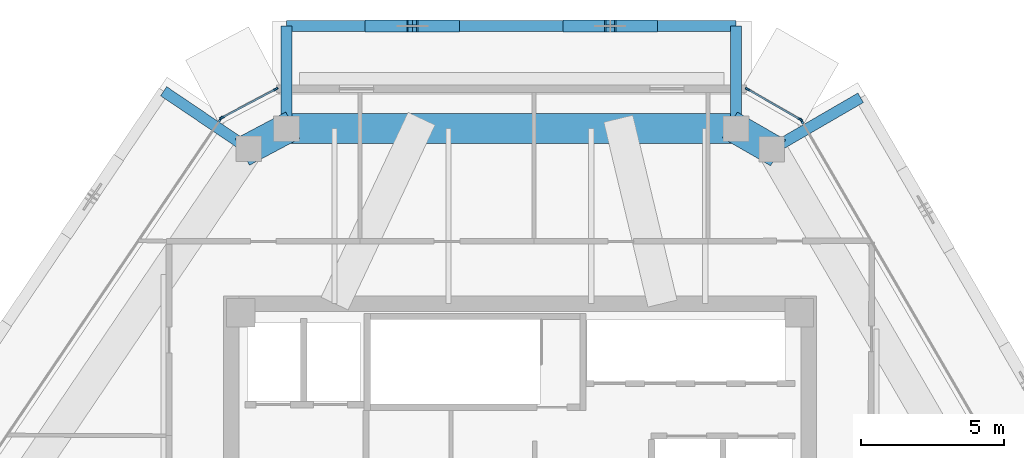
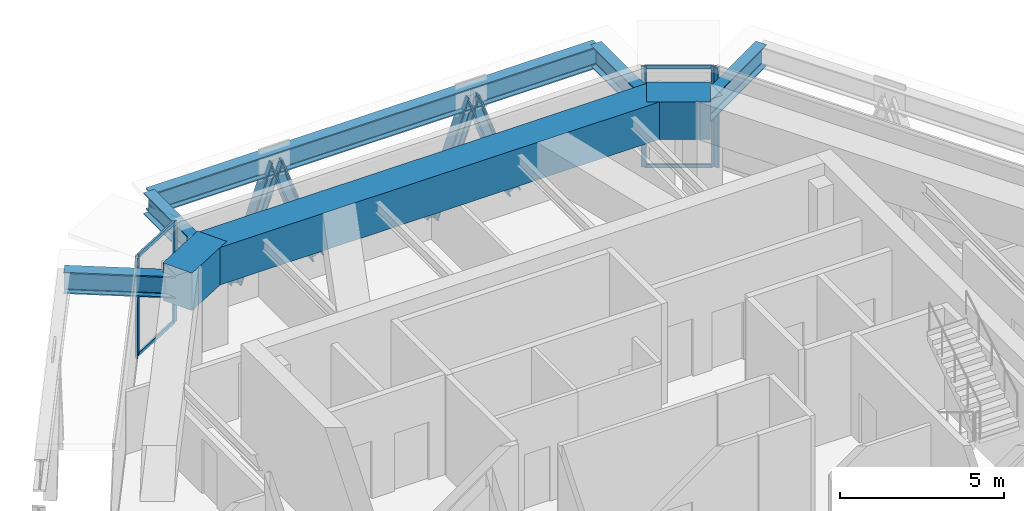
# One storey, part 6 of 13: 14 members, 8 beams, 4 elements without a shape of their own.
"""IFC4 building model written with IfcOpenShell, lengths in metres."""

from ifc_helpers import new_model, si_unit, direction, frame, origin, origin_2d, place, context, subcontext, project, spatial, rectangle, i_section, extrude, source, transform, mapped, material, layer, layer_set, material_profile, profile_set, type_object, type_shapes, element, aggregate, save


model = new_model("IFC4")

# Units and contexts
model_context = context("Model", 3, precision=1e-05, world=origin(), true_north=direction((0.0, 1.0)))
body_context = subcontext(model_context, "Body", "Model", "MODEL_VIEW")
ifc_project = project(units=[si_unit("LENGTHUNIT", "METRE"), si_unit("AREAUNIT", "SQUARE_METRE"), si_unit("VOLUMEUNIT", "CUBIC_METRE"), si_unit("PLANEANGLEUNIT", "RADIAN"), si_unit("MASSUNIT", "GRAM", prefix="KILO")], contexts=[model_context])

# Site, building, storey
site_placement = place(None, origin())
site = spatial("IfcSite", under=ifc_project, at=site_placement, CompositionType="ELEMENT")
building_placement = place(site_placement, origin())
building = spatial("IfcBuilding", under=site, at=building_placement, Name="Durnholm Broadcast Tower", CompositionType="ELEMENT")
storey_placement = place(building_placement, frame((0.0, 0.0, 268.300048828125)))
storey = spatial("IfcBuildingStorey", under=building, at=storey_placement, Name="L75", CompositionType="ELEMENT", Elevation=268.300048828125)

# Beams
ifc_material_1 = material(Name="Steel ASTM A992 Grade 50", Category="steel")
ifc_material_profile_1 = material_profile(ifc_material_1, i_section(OverallWidth=0.385009765625, OverallDepth=0.802978515625, WebThickness=0.023681640625, FlangeThickness=0.0419921875, FilletRadius=0.032958984375, at=origin_2d()), Name="W30X261")
ifc_profile_set_1 = profile_set([ifc_material_profile_1], Name="Steel ASTM A992 Grade 50")
beam_type_1 = type_object("IfcBeamType", Name="BM-EXO-TIE", PredefinedType="USERDEFINED", material=ifc_profile_set_1)
shared_shape_1 = source(origin(), body_context, "Body", "SweptSolid", [
    extrude(i_section(OverallWidth=0.385009765625, OverallDepth=0.802978515625, WebThickness=0.023681640625, FlangeThickness=0.0419921875, FilletRadius=0.032958984375, at=origin_2d()), origin(), (0.0, 0.0, 1.0), 3.4560546875),
])
for number, where, z_axis, x_axis, name in (
    (1, (7.57958984375, 14.406005859375, 2.99853515625), (0.0, 1.0, 0.0), (-1.0, 0.0, 0.0), "L75 exoskeleton stand-off tie bracket F4.1"),
    (2, (-8.187744140625, 14.406005859375, 2.99853515625), (0.0, 1.0, 0.0), (-1.0, 0.0, 0.0), "L75 exoskeleton stand-off tie bracket F4.2"),
):
    element("IfcBeam", number, at=place(storey_placement, frame(where, z_axis=z_axis, x_axis=x_axis)), inside=storey, type_object=beam_type_1, Name=name, ObjectType="GIRDER", PredefinedType="USERDEFINED", context=body_context, shape_type="MappedRepresentation", body=[
        mapped(shared_shape_1, transform((0.0, 0.0, 0.0), x_axis=(1.0, 0.0, 0.0), y_axis=(0.0, 1.0, 0.0), z_axis=(0.0, 0.0, 1.0), scale=1.0)),
    ])
shared_shape_2 = source(origin(), body_context, "Body", "SweptSolid", [
    extrude(i_section(OverallWidth=0.385009765625, OverallDepth=0.802978515625, WebThickness=0.023681640625, FlangeThickness=0.0419921875, FilletRadius=0.032958984375, at=origin_2d()), origin(), (0.0, 0.0, 1.0), 3.455810546875),
])
for number, where, z_axis, x_axis, name in (
    (3, (8.9619140625, 13.610107421875, 2.99853515625), (0.864906682814, 0.501932694715, 0.0), (-0.501932694715, 0.864906682814, 0.0), "L75 exoskeleton stand-off tie bracket F3.2"),
    (4, (-9.63427734375, 13.637939453125, 2.99853515625), (-0.828446342252, 0.560068440469, 0.0), (-0.560068440469, -0.828446342252, 0.0), "L75 exoskeleton stand-off tie bracket F5.1"),
):
    element("IfcBeam", number, at=place(storey_placement, frame(where, z_axis=z_axis, x_axis=x_axis)), inside=storey, type_object=beam_type_1, Name=name, ObjectType="GIRDER", PredefinedType="USERDEFINED", context=body_context, shape_type="MappedRepresentation", body=[
        mapped(shared_shape_2, transform((0.0, 0.0, 0.0), x_axis=(1.0, 0.0, 0.0), y_axis=(0.0, 1.0, 0.0), z_axis=(0.0, 0.0, 1.0), scale=1.0)),
    ])
shared_shape_3 = source(origin(), body_context, "Body", "SweptSolid", [
    extrude(i_section(OverallWidth=0.385009765625, OverallDepth=0.802978515625, WebThickness=0.023681640625, FlangeThickness=0.0419921875, FilletRadius=0.032958984375, at=origin_2d()), origin(), (0.0, 0.0, 1.0), 15.767333984375),
])
type_shapes(beam_type_1, [shared_shape_1, shared_shape_2, shared_shape_3])
beam_1_placement = place(storey_placement, frame((7.57958984375, 17.862060546875, 2.99853515625), z_axis=(-1.0, 0.0, 0.0), x_axis=(0.0, -1.0, 0.0)))
element("IfcBeam", 5, at=beam_1_placement, inside=storey, type_object=beam_type_1, Name="L75 exoskeleton collector spandrel F4", PredefinedType="SPANDREL", context=body_context, shape_type="MappedRepresentation", body=[
    mapped(shared_shape_3, transform((0.0, 0.0, 0.0), x_axis=(1.0, 0.0, 0.0), y_axis=(0.0, 1.0, 0.0), z_axis=(0.0, 0.0, 1.0), scale=1.0)),
])
ifc_material_2 = material(Name="Concrete C70/85", Category="concrete")
ifc_material_profile_2 = material_profile(ifc_material_2, rectangle(XDim=1.050048828125, YDim=1.39990234375, at=origin_2d()), Name="RC1050X1400")
ifc_profile_set_2 = profile_set([ifc_material_profile_2], Name="Concrete C70/85")
beam_type_2 = type_object("IfcBeamType", Name="BM-TG-RC1400", PredefinedType="USERDEFINED", material=ifc_profile_set_2)
shared_shape_4 = source(origin(), body_context, "Body", "SweptSolid", [
    extrude(rectangle(XDim=1.050048828125, YDim=1.39990234375, at=origin_2d()), origin(), (0.0, 0.0, 1.0), 2.002685546875),
])
beam_2_placement = place(storey_placement, frame((-9.735595703125, 13.440185546875, 3.050048828125), z_axis=(0.883262473684, 0.46887887837, 0.0), x_axis=(-0.46887887837, 0.883262473684, 0.0)))
element("IfcBeam", 6, at=beam_2_placement, inside=storey, type_object=beam_type_2, Name="L75 perimeter transfer spandrel girder 04", PredefinedType="SPANDREL", context=body_context, shape_type="MappedRepresentation", body=[
    mapped(shared_shape_4, transform((0.0, 0.0, 0.0), x_axis=(1.0, 0.0, 0.0), y_axis=(0.0, 1.0, 0.0), z_axis=(0.0, 0.0, 1.0), scale=1.0)),
])
shared_shape_5 = source(origin(), body_context, "Body", "SweptSolid", [
    extrude(rectangle(XDim=1.050048828125, YDim=1.39990234375, at=origin_2d()), origin(), (0.0, 0.0, 1.0), 15.767333984375),
])
beam_3_placement = place(storey_placement, frame((-8.187744140625, 14.261962890625, 3.050048828125), z_axis=(1.0, 0.0, 0.0), x_axis=(0.0, 1.0, 0.0)))
element("IfcBeam", 7, at=beam_3_placement, inside=storey, type_object=beam_type_2, Name="L75 perimeter transfer spandrel girder 05", PredefinedType="SPANDREL", context=body_context, shape_type="MappedRepresentation", body=[
    mapped(shared_shape_5, transform((0.0, 0.0, 0.0), x_axis=(1.0, 0.0, 0.0), y_axis=(0.0, 1.0, 0.0), z_axis=(0.0, 0.0, 1.0), scale=1.0)),
])
shared_shape_6 = source(origin(), body_context, "Body", "SweptSolid", [
    extrude(rectangle(XDim=1.050048828125, YDim=1.39990234375, at=origin_2d()), origin(), (0.0, 0.0, 1.0), 1.951416015625),
])
type_shapes(beam_type_2, [shared_shape_4, shared_shape_5, shared_shape_6])
beam_4_placement = place(storey_placement, frame((7.363037109375, 14.38671875, 3.050048828125), z_axis=(0.866551951949, -0.499086880786, 0.0), x_axis=(0.499086880786, 0.866551951949, 0.0)))
element("IfcBeam", 8, at=beam_4_placement, inside=storey, type_object=beam_type_2, Name="L75 perimeter transfer spandrel girder 06", PredefinedType="SPANDREL", context=body_context, shape_type="MappedRepresentation", body=[
    mapped(shared_shape_6, transform((0.0, 0.0, 0.0), x_axis=(1.0, 0.0, 0.0), y_axis=(0.0, 1.0, 0.0), z_axis=(0.0, 0.0, 1.0), scale=1.0)),
])

# Members
ifc_material_3 = material(Name="Steel ASTM A913 Grade 65", Category="steel")
ifc_material_profile_3 = material_profile(ifc_material_3, i_section(OverallWidth=0.40625, OverallDepth=0.416015625, WebThickness=0.02978515625, FlangeThickness=0.048095703125, FilletRadius=0.030517578125, at=origin_2d()), Name="W14X257")
ifc_profile_set_3 = profile_set([ifc_material_profile_3], Name="Steel ASTM A913 Grade 65")
member_type_1 = type_object("IfcMemberType", Name="STL-DG-W14X257", PredefinedType="BRACE", material=ifc_profile_set_3)
shared_shape_7 = source(origin(), body_context, "Body", "SweptSolid", [
    extrude(i_section(OverallWidth=0.40625, OverallDepth=0.416015625, WebThickness=0.02978515625, FlangeThickness=0.048095703125, FilletRadius=0.030517578125, at=origin_2d()), origin(), (0.0, 0.0, 1.0), 4.3046875),
])
for number, where, z_axis, x_axis, name in (
    (9, (4.623046875, 17.862060546875, -1.051513671875), (-0.338767668822, 0.0, 0.940870058276), (0.0, -1.0, 0.0), "L75 stand-off diagrid brace F4.D1.1"),
    (10, (1.70654296875, 17.862060546875, -1.051513671875), (0.338767668822, 0.0, 0.940870058276), (0.0, 1.0, 0.0), "L75 stand-off diagrid brace F4.D1.2"),
    (11, (-5.23095703125, 17.862060546875, -1.051513671875), (0.338767668822, 0.0, 0.940870058276), (0.0, 1.0, 0.0), "L75 stand-off diagrid brace F4.D2.2"),
):
    element("IfcMember", number, at=place(storey_placement, frame(where, z_axis=z_axis, x_axis=x_axis)), inside=storey, type_object=member_type_1, Name=name, PredefinedType="BRACE", context=body_context, shape_type="MappedRepresentation", body=[
        mapped(shared_shape_7, transform((0.0, 0.0, 0.0), x_axis=(1.0, 0.0, 0.0), y_axis=(0.0, 1.0, 0.0), z_axis=(0.0, 0.0, 1.0), scale=1.0)),
    ])
shared_shape_8 = source(origin(), body_context, "Body", "SweptSolid", [
    extrude(i_section(OverallWidth=0.40625, OverallDepth=0.416015625, WebThickness=0.02978515625, FlangeThickness=0.048095703125, FilletRadius=0.030517578125, at=origin_2d()), origin(), (0.0, 0.0, 1.0), 4.304443359375),
])
type_shapes(member_type_1, [shared_shape_7, shared_shape_8])
member_1_placement = place(storey_placement, frame((-2.314697265625, 17.862060546875, -1.051513671875), z_axis=(-0.338717459859, 0.0, 0.940888134895), x_axis=(0.0, -1.0, 0.0)))
element("IfcMember", 12, at=member_1_placement, inside=storey, type_object=member_type_1, Name="L75 stand-off diagrid brace F4.D2.1", PredefinedType="BRACE", context=body_context, shape_type="MappedRepresentation", body=[
    mapped(shared_shape_8, transform((0.0, 0.0, 0.0), x_axis=(1.0, 0.0, 0.0), y_axis=(0.0, 1.0, 0.0), z_axis=(0.0, 0.0, 1.0), scale=1.0)),
])

# Curtain wall, members
ifc_material_4 = material(Name="Aluminium and Solar Control IGU", Category="aluminium")
ifc_layer_1 = layer(ifc_material_4, 0.1650390625)
ifc_layer_set_1 = layer_set([ifc_layer_1], Name="Aluminium and Solar Control IGU")
curtain_wall_type_1 = type_object("IfcCurtainWallType", Name="CW-SYS-5", PredefinedType="NOTDEFINED", material=ifc_layer_set_1)
curtain_wall_1_placement = place(storey_placement, origin())
curtain_wall_1 = element("IfcCurtainWall", 13, at=curtain_wall_1_placement, inside=storey, type_object=curtain_wall_type_1, Name="L75 curtain wall CW-CORNER CW-L75-CRN-03", PredefinedType="NOTDEFINED")
ifc_material_5 = material(Name="Aluminium 6063-T6", Category="aluminium")
ifc_material_profile_4 = material_profile(ifc_material_5, rectangle(XDim=0.06494140625, YDim=0.1298828125, at=origin_2d()), Name="CWT65X130")
ifc_profile_set_4 = profile_set([ifc_material_profile_4], Name="Aluminium 6063-T6")
member_type_2 = type_object("IfcMemberType", Name="CW-SYS-5-TRN", PredefinedType="USERDEFINED", material=ifc_profile_set_4)
shared_shape_9 = source(origin(), body_context, "Body", "SweptSolid", [
    extrude(rectangle(XDim=0.06494140625, YDim=0.1298828125, at=origin_2d()), origin(), (0.0, 0.0, 1.0), 2.070068359375),
])
type_shapes(member_type_2, [shared_shape_9])
member_2_placement = place(storey_placement, frame((-10.421875, 14.66064453125, 0.032470703125), z_axis=(0.883164581026, 0.469063239682, 0.0), x_axis=(-0.469063239682, 0.883164581026, 0.0)))
member_2 = element("IfcMember", 14, at=member_2_placement, type_object=member_type_2, Name="CW-CORNER transom 1.1", ObjectType="TRANSOM", PredefinedType="USERDEFINED", context=body_context, shape_type="MappedRepresentation", body=[
    mapped(shared_shape_9, transform((0.0, 0.0, 0.0), x_axis=(1.0, 0.0, 0.0), y_axis=(0.0, 1.0, 0.0), z_axis=(0.0, 0.0, 1.0), scale=1.0)),
])
member_3_placement = place(storey_placement, frame((-10.421875, 14.66064453125, 3.717529296875), z_axis=(0.883164581026, 0.469063239682, 0.0), x_axis=(-0.469063239682, 0.883164581026, 0.0)))
member_3 = element("IfcMember", 15, at=member_3_placement, type_object=member_type_2, Name="CW-CORNER transom 1.2", ObjectType="TRANSOM", PredefinedType="USERDEFINED", context=body_context, shape_type="MappedRepresentation", body=[
    mapped(shared_shape_9, transform((0.0, 0.0, 0.0), x_axis=(1.0, 0.0, 0.0), y_axis=(0.0, 1.0, 0.0), z_axis=(0.0, 0.0, 1.0), scale=1.0)),
])

curtain_wall_2_placement = place(storey_placement, origin())
curtain_wall_2 = element("IfcCurtainWall", 16, at=curtain_wall_2_placement, inside=storey, type_object=curtain_wall_type_1, Name="L75 curtain wall CW-CORNER CW-L75-CRN-05", PredefinedType="NOTDEFINED")
member_4_placement = place(storey_placement, frame((8.01025390625, 15.629638671875, 0.032470703125), z_axis=(0.866525076636, -0.499133540809, 0.0), x_axis=(0.499133540809, 0.866525076636, 0.0)))
member_4 = element("IfcMember", 17, at=member_4_placement, type_object=member_type_2, Name="CW-CORNER transom 1.1", ObjectType="TRANSOM", PredefinedType="USERDEFINED", context=body_context, shape_type="MappedRepresentation", body=[
    mapped(shared_shape_9, transform((0.0, 0.0, 0.0), x_axis=(1.0, 0.0, 0.0), y_axis=(0.0, 1.0, 0.0), z_axis=(0.0, 0.0, 1.0), scale=1.0)),
])
member_5_placement = place(storey_placement, frame((8.01025390625, 15.629638671875, 3.717529296875), z_axis=(0.866525076636, -0.499133540809, 0.0), x_axis=(0.499133540809, 0.866525076636, 0.0)))
member_5 = element("IfcMember", 18, at=member_5_placement, type_object=member_type_2, Name="CW-CORNER transom 1.2", ObjectType="TRANSOM", PredefinedType="USERDEFINED", context=body_context, shape_type="MappedRepresentation", body=[
    mapped(shared_shape_9, transform((0.0, 0.0, 0.0), x_axis=(1.0, 0.0, 0.0), y_axis=(0.0, 1.0, 0.0), z_axis=(0.0, 0.0, 1.0), scale=1.0)),
])

# Member
ifc_material_profile_5 = material_profile(ifc_material_5, rectangle(XDim=0.06494140625, YDim=0.1650390625, at=origin_2d()), Name="CWM65X165")
ifc_profile_set_5 = profile_set([ifc_material_profile_5], Name="Aluminium 6063-T6")
member_type_3 = type_object("IfcMemberType", Name="CW-SYS-5-MUL", PredefinedType="MULLION", material=ifc_profile_set_5)
shared_shape_10 = source(origin(), body_context, "Body", "SweptSolid", [
    extrude(rectangle(XDim=0.06494140625, YDim=0.1650390625, at=origin_2d()), origin(), (0.0, 0.0, 1.0), 3.75),
])
type_shapes(member_type_3, [shared_shape_10])
member_6_placement = place(storey_placement, frame((-10.45068359375, 14.6455078125, 0.0), z_axis=(0.0, 0.0, 1.0), x_axis=(-0.469006771575, 0.883194569853, 0.0)))
member_6 = element("IfcMember", 19, at=member_6_placement, type_object=member_type_3, Name="CW-CORNER mullion 1", PredefinedType="MULLION", context=body_context, shape_type="MappedRepresentation", body=[
    mapped(shared_shape_10, transform((0.0, 0.0, 0.0), x_axis=(1.0, 0.0, 0.0), y_axis=(0.0, 1.0, 0.0), z_axis=(0.0, 0.0, 1.0), scale=1.0)),
])

member_7_placement = place(storey_placement, frame((-8.565185546875, 15.646728515625, 0.0), z_axis=(0.0, 0.0, 1.0), x_axis=(-0.469006771575, 0.883194569853, 0.0)))
member_7 = element("IfcMember", 20, at=member_7_placement, type_object=member_type_3, Name="CW-CORNER mullion 2", PredefinedType="MULLION", context=body_context, shape_type="MappedRepresentation", body=[
    mapped(shared_shape_10, transform((0.0, 0.0, 0.0), x_axis=(1.0, 0.0, 0.0), y_axis=(0.0, 1.0, 0.0), z_axis=(0.0, 0.0, 1.0), scale=1.0)),
])

aggregate(curtain_wall_1, [member_6, member_7, member_2, member_3])

member_8_placement = place(storey_placement, frame((7.982177734375, 15.645751953125, 0.0), z_axis=(0.0, 0.0, 1.0), x_axis=(0.499058582333, 0.866568249707, 0.0)))
member_8 = element("IfcMember", 21, at=member_8_placement, type_object=member_type_3, Name="CW-CORNER mullion 1", PredefinedType="MULLION", context=body_context, shape_type="MappedRepresentation", body=[
    mapped(shared_shape_10, transform((0.0, 0.0, 0.0), x_axis=(1.0, 0.0, 0.0), y_axis=(0.0, 1.0, 0.0), z_axis=(0.0, 0.0, 1.0), scale=1.0)),
])

member_9_placement = place(storey_placement, frame((9.832275390625, 14.580322265625, 0.0), z_axis=(0.0, 0.0, 1.0), x_axis=(0.499058582333, 0.866568249707, 0.0)))
member_9 = element("IfcMember", 22, at=member_9_placement, type_object=member_type_3, Name="CW-CORNER mullion 2", PredefinedType="MULLION", context=body_context, shape_type="MappedRepresentation", body=[
    mapped(shared_shape_10, transform((0.0, 0.0, 0.0), x_axis=(1.0, 0.0, 0.0), y_axis=(0.0, 1.0, 0.0), z_axis=(0.0, 0.0, 1.0), scale=1.0)),
])

aggregate(curtain_wall_2, [member_8, member_9, member_4, member_5])

# Curtain wall, member
ifc_layer_2 = layer(ifc_material_4, 0.219970703125)
ifc_layer_set_2 = layer_set([ifc_layer_2], Name="Aluminium and Solar Control IGU")
curtain_wall_type_2 = type_object("IfcCurtainWallType", Name="CW-SYS-6", PredefinedType="NOTDEFINED", material=ifc_layer_set_2)
curtain_wall_3_placement = place(storey_placement, origin())
curtain_wall_3 = element("IfcCurtainWall", 23, at=curtain_wall_3_placement, inside=storey, type_object=curtain_wall_type_2, Name="L75 curtain wall CW-AMENITY CW-L75-F02", PredefinedType="NOTDEFINED")
ifc_material_profile_6 = material_profile(ifc_material_5, rectangle(XDim=0.074951171875, YDim=0.219970703125, at=origin_2d()), Name="CWM75X220")
ifc_profile_set_6 = profile_set([ifc_material_profile_6], Name="Aluminium 6063-T6")
member_type_4 = type_object("IfcMemberType", Name="CW-SYS-6-MUL", PredefinedType="MULLION", material=ifc_profile_set_6)
shared_shape_11 = source(origin(), body_context, "Body", "SweptSolid", [
    extrude(rectangle(XDim=0.074951171875, YDim=0.219970703125, at=origin_2d()), origin(), (0.0, 0.0, 1.0), 3.75),
])
type_shapes(member_type_4, [shared_shape_11])
member_10_placement = place(storey_placement, frame((-10.50048828125, 14.59912109375, 0.0), z_axis=(0.0, 0.0, 1.0), x_axis=(-0.828443431662, 0.560072745753, 0.0)))
member_10 = element("IfcMember", 24, at=member_10_placement, type_object=member_type_4, Name="CW-AMENITY mullion 2", PredefinedType="MULLION", context=body_context, shape_type="MappedRepresentation", body=[
    mapped(shared_shape_11, transform((0.0, 0.0, 0.0), x_axis=(1.0, 0.0, 0.0), y_axis=(0.0, 1.0, 0.0), z_axis=(0.0, 0.0, 1.0), scale=1.0)),
])
aggregate(curtain_wall_3, [member_10])

curtain_wall_4_placement = place(storey_placement, origin())
curtain_wall_4 = element("IfcCurtainWall", 25, at=curtain_wall_4_placement, inside=storey, type_object=curtain_wall_type_2, Name="L75 curtain wall CW-AMENITY CW-L75-F06", PredefinedType="NOTDEFINED")
member_11_placement = place(storey_placement, frame((9.879150390625, 14.53173828125, 0.0), z_axis=(0.0, 0.0, 1.0), x_axis=(0.864899883824, 0.50194441023, 0.0)))
member_11 = element("IfcMember", 26, at=member_11_placement, type_object=member_type_4, Name="CW-AMENITY mullion 1", PredefinedType="MULLION", context=body_context, shape_type="MappedRepresentation", body=[
    mapped(shared_shape_11, transform((0.0, 0.0, 0.0), x_axis=(1.0, 0.0, 0.0), y_axis=(0.0, 1.0, 0.0), z_axis=(0.0, 0.0, 1.0), scale=1.0)),
])
aggregate(curtain_wall_4, [member_11])

save(model, "model.ifc")
